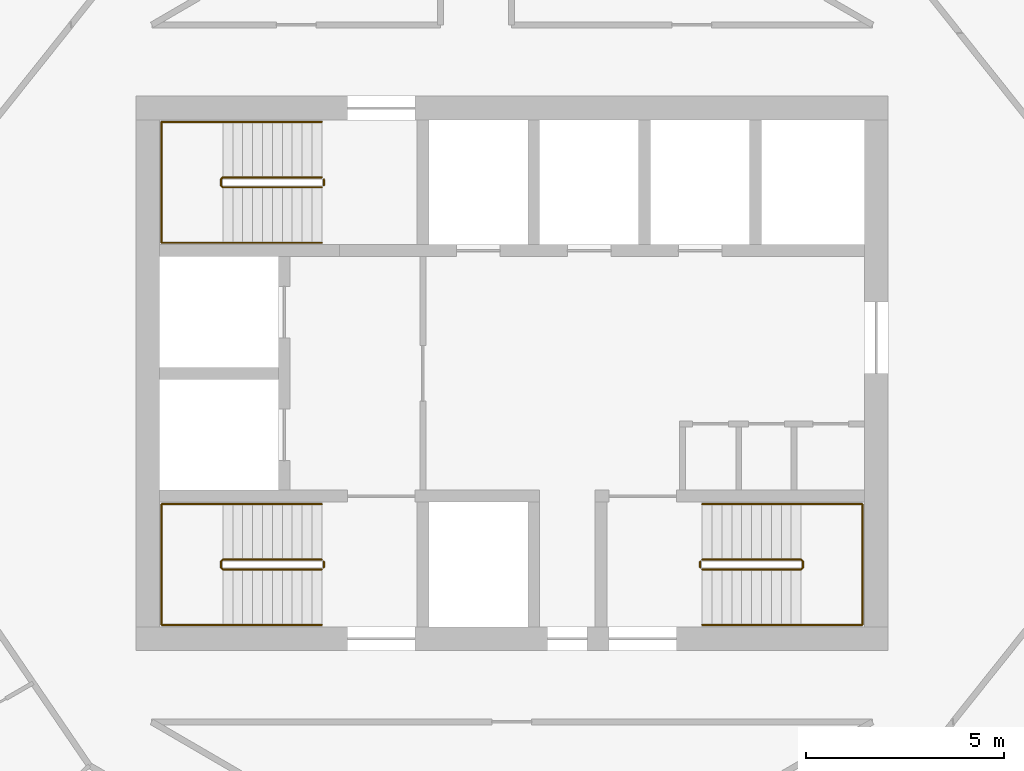
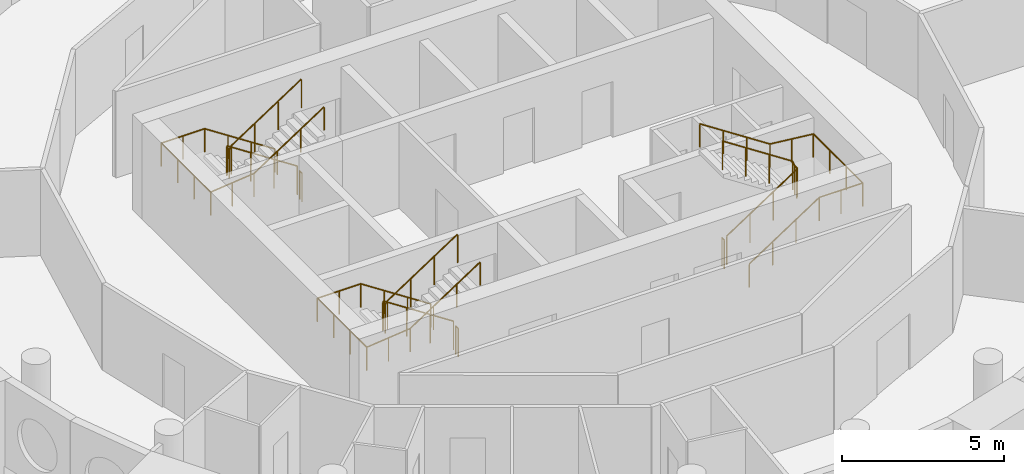
# One storey, part 12 of 12: 9 railings.
"""IFC4 building model written with IfcOpenShell, lengths in metres."""

import ifcopenshell
import ifcopenshell.guid

model = None  # the IFC model being written
_history = None  # IfcOwnerHistory: only IFC2X3 demands one
_inside = {}  # id of a spatial element -> (the spatial element, [elements in it])
_under = {}  # id of a project, library or spatial element -> (it, [spatial elements below it])
_declared = {}  # id of a project -> (the project, [libraries it declares])
_typed = {}  # id of a type object -> (the type object, [elements of that type])
_made_of = {}  # id of a material, layer set ... -> (it, [elements and type objects made of it])


def new_model(schema):
    """Start an empty IFC model of exactly this schema.

    Asked for "IFC4X3", IfcOpenShell would pick the latest addendum, in which some entities
    have other attributes; the version numbers below select the first issue.
    IFC2X3 requires an IfcOwnerHistory on every rooted entity: one is made here for all.
    """
    global model, _history
    if schema == "IFC4X3":
        model = ifcopenshell.file(schema_version=(4, 3, 0, 0))
    else:
        model = ifcopenshell.file(schema=schema)
    _inside.clear()
    _under.clear()
    _declared.clear()
    _typed.clear()
    _made_of.clear()
    _history = None
    if model.schema == "IFC2X3":
        org = make("IfcOrganization", Name="unknown")
        user = make(
            "IfcPersonAndOrganization",
            ThePerson=make("IfcPerson", FamilyName="unknown"),
            TheOrganization=org,
        )
        app = make(
            "IfcApplication",
            ApplicationDeveloper=org,
            Version="unknown",
            ApplicationFullName="unknown",
            ApplicationIdentifier="unknown",
        )
        _history = make(
            "IfcOwnerHistory",
            OwningUser=user,
            OwningApplication=app,
            ChangeAction="ADDED",
            CreationDate=0,
        )
    return model


def make(cls, **values):
    """One entity of the class cls with the attributes given. An attribute that is None is left unset."""
    return model.create_entity(
        cls, **{name: value for name, value in values.items() if value is not None}
    )


def rooted(cls, **values):
    """An entity with a GlobalId (a new one), such as an element, a storey or a relation."""
    return make(cls, GlobalId=ifcopenshell.guid.new(), OwnerHistory=_history, **values)


def si_unit(unit_type, name, prefix=None):
    """IfcSIUnit, for example si_unit("LENGTHUNIT", "METRE", prefix="MILLI")."""
    return make("IfcSIUnit", UnitType=unit_type, Prefix=prefix, Name=name)


def assignment(units):
    """IfcUnitAssignment: the units of a project."""
    return None if units is None else make("IfcUnitAssignment", Units=units)


def point(xyz):
    """IfcCartesianPoint."""
    return None if xyz is None else make("IfcCartesianPoint", Coordinates=xyz)


def direction(xyz):
    """IfcDirection."""
    return None if xyz is None else make("IfcDirection", DirectionRatios=xyz)


def frame(location, z_axis=None, x_axis=None):
    """IfcAxis2Placement3D, a coordinate frame: its origin and axes. An axis left out is left unset."""
    return make(
        "IfcAxis2Placement3D",
        Location=point(location),
        Axis=direction(z_axis),
        RefDirection=direction(x_axis),
    )


def frame_2d(location, x_axis=None):
    """IfcAxis2Placement2D, a coordinate frame in the plane: its origin and x axis."""
    return make(
        "IfcAxis2Placement2D", Location=point(location), RefDirection=direction(x_axis)
    )


def origin():
    """The frame at (0, 0, 0) with its axes left unset."""
    return frame((0.0, 0.0, 0.0))


def origin_2d():
    """The frame at (0, 0) in the plane with its x axis left unset."""
    return frame_2d((0.0, 0.0))


def place(relative_to, where):
    """IfcLocalPlacement: puts the frame where relative to a parent placement (None: the world)."""
    return make(
        "IfcLocalPlacement", PlacementRelTo=relative_to, RelativePlacement=where
    )


def context(
    kind, dimensions, precision=None, world=None, true_north=None, identifier=None
):
    """IfcGeometricRepresentationContext, for example the 3D "Model" context."""
    return make(
        "IfcGeometricRepresentationContext",
        ContextIdentifier=identifier,
        ContextType=kind,
        CoordinateSpaceDimension=dimensions,
        Precision=precision,
        WorldCoordinateSystem=world,
        TrueNorth=true_north,
    )


def subcontext(parent, identifier, kind, view, scale=None):
    """IfcGeometricRepresentationSubContext, for example "Body" below "Model"."""
    return make(
        "IfcGeometricRepresentationSubContext",
        ContextIdentifier=identifier,
        ContextType=kind,
        ParentContext=parent,
        TargetScale=scale,
        TargetView=view,
    )


def project(units=None, contexts=None):
    """IfcProject with its units and contexts."""
    return rooted(
        "IfcProject",
        Name="project",
        RepresentationContexts=contexts,
        UnitsInContext=assignment(units),
    )


def spatial(cls, under=None, at=None, **own):
    """A site, building, storey or space (cls), placed at a placement, below another one or the project."""
    s = rooted(cls, ObjectPlacement=at, **own)
    if under is not None:
        _under.setdefault(under.id(), (under, []))[1].append(s)
    return s


def profile(cls, at=None, kind="AREA", **sizes):
    """A parametric profile (cls). Its sizes go by their IFC names, for example OverallWidth=200.0."""
    return make(cls, ProfileType=kind, Position=at, **sizes)


def circle(**sizes):
    """IfcCircleProfileDef."""
    return profile("IfcCircleProfileDef", **sizes)


def extrude(swept, where, along, depth):
    """IfcExtrudedAreaSolid: the profile swept, set in the frame where, extruded along a direction by depth."""
    return make(
        "IfcExtrudedAreaSolid",
        SweptArea=swept,
        Position=where,
        ExtrudedDirection=direction(along),
        Depth=depth,
    )


def shape(context_of_items, identifier, shape_type, items):
    """IfcShapeRepresentation: the items that make up one representation, for example the "Body"."""
    return make(
        "IfcShapeRepresentation",
        ContextOfItems=context_of_items,
        RepresentationIdentifier=identifier,
        RepresentationType=shape_type,
        Items=items,
    )


def material(Name=None, Category=None):
    """IfcMaterial."""
    return make("IfcMaterial", Name=Name, Category=Category)


def made_of(thing, what):
    """Note that an element or type object is made of a material, layer set ...; save() writes the relation."""
    if what is not None:
        _made_of.setdefault(what.id(), (what, []))[1].append(thing)
    return thing


def type_object(cls, material=None, **own):
    """A type object (cls), such as IfcWallType, which elements share."""
    return made_of(rooted(cls, **own), material)


def element(
    cls,
    number,
    at=None,
    inside=None,
    cuts=None,
    type_object=None,
    material=None,
    context=None,
    identifier="Body",
    shape_type=None,
    held_by="IfcProductDefinitionShape",
    body=None,
    shapes=None,
    **own,
):
    """One element of the class cls, such as IfcWall. Its Tag is "e" and its number.

    at: its placement. inside: the storey or other place that contains it. cuts: it is an
    opening in that element (IfcRelVoidsElement). A single representation is given by context,
    identifier, shape_type and body (its items); several are given by shapes. held_by: the class
    of the entity that holds the representations. save() writes the other relations.
    """
    e = rooted(cls, Tag="e%d" % number, ObjectPlacement=at, **own)
    if body is not None:
        shapes = [shape(context, identifier, shape_type, body)]
    if shapes is not None:
        e.Representation = make(held_by, Representations=shapes)
    if inside is not None:
        _inside.setdefault(inside.id(), (inside, []))[1].append(e)
    if cuts is not None:
        rooted(
            "IfcRelVoidsElement", RelatingBuildingElement=cuts, RelatedOpeningElement=e
        )
    if type_object is not None:
        _typed.setdefault(type_object.id(), (type_object, []))[1].append(e)
    return made_of(e, material)


def aggregate(whole, parts):
    """IfcRelAggregates: a whole, such as a stair, and the parts it consists of."""
    return rooted("IfcRelAggregates", RelatingObject=whole, RelatedObjects=parts)


def save(model, path):
    """Write the relations noted so far, then the file.

    IfcRelAggregates (storeys below a building ...), IfcRelContainedInSpatialStructure (elements
    in a storey), IfcRelDefinesByType, IfcRelAssociatesMaterial and IfcRelDeclares: one each for
    every whole, place, type object, material and project.
    """
    for whole, parts in _under.values():
        aggregate(whole, parts)
    for where, things in _inside.values():
        rooted(
            "IfcRelContainedInSpatialStructure",
            RelatedElements=things,
            RelatingStructure=where,
        )
    for kind, things in _typed.values():
        rooted("IfcRelDefinesByType", RelatedObjects=things, RelatingType=kind)
    for what, things in _made_of.values():
        rooted("IfcRelAssociatesMaterial", RelatedObjects=things, RelatingMaterial=what)
    for by, libraries in _declared.values():
        rooted("IfcRelDeclares", RelatingContext=by, RelatedDefinitions=libraries)
    model.write(path)


model = new_model("IFC4")

# Units and contexts
model_context = context("Model", 3, precision=1e-05, world=origin(), true_north=direction((0.0, 1.0)))
body_context = subcontext(model_context, "Body", "Model", "MODEL_VIEW")
ifc_project = project(units=[si_unit("LENGTHUNIT", "METRE"), si_unit("AREAUNIT", "SQUARE_METRE"), si_unit("VOLUMEUNIT", "CUBIC_METRE"), si_unit("PLANEANGLEUNIT", "RADIAN"), si_unit("MASSUNIT", "GRAM", prefix="KILO")], contexts=[model_context])

# Site, building, storey
site_placement = place(None, origin())
site = spatial("IfcSite", under=ifc_project, at=site_placement, CompositionType="ELEMENT")
building_placement = place(site_placement, origin())
building = spatial("IfcBuilding", under=site, at=building_placement, Name="Tracery Tower", CompositionType="ELEMENT")
storey_placement = place(building_placement, frame((0.0, 0.0, 323.39990234375)))
storey = spatial("IfcBuildingStorey", under=building, at=storey_placement, Name="L84", CompositionType="ELEMENT", Elevation=323.39990234375)

# Railings
ifc_material_1 = material(Name="Stainless steel and laminated glass", Category="steel")
railing_type_1 = type_object("IfcRailingType", Name="Stair guard 1100", PredefinedType="GUARDRAIL", material=ifc_material_1)
railing_1_placement = place(storey_placement, frame((-4.800048828125, -4.699951171875, 0.163818359375)))
element("IfcRailing", 1, at=railing_1_placement, inside=storey, type_object=railing_type_1, Name="L84 stair ST1 guard 1", PredefinedType="GUARDRAIL", context=body_context, shape_type="SweptSolid", body=[
    extrude(circle(Radius=0.02392578125, at=origin_2d()), frame((0.0, 0.0, 1.076171875), z_axis=(-0.836721939367, 0.0, 0.547627972425), x_axis=(0.0, -1.0, 0.0)), (0.0, 0.0, 1.0), 2.98779296875),
    extrude(circle(Radius=0.02392578125, at=origin_2d()), frame((-2.5, 0.0, 2.71240234375), z_axis=(-0.707106781187, -0.707106781187, 0.0), x_axis=(0.707106781187, -0.707106781187, 0.0)), (0.0, 0.0, 1.0), 0.07080078125),
    extrude(circle(Radius=0.02392578125, at=origin_2d()), frame((-2.550048828125, -0.050048828125, 2.71240234375), z_axis=(0.0, -1.0, 0.0), x_axis=(1.0, 0.0, 0.0)), (0.0, 0.0, 1.0), 0.14990234375),
    extrude(circle(Radius=0.02392578125, at=origin_2d()), frame((-2.550048828125, -0.199951171875, 2.71240234375), z_axis=(0.280808744504, -0.280808744504, 0.917765164963), x_axis=(0.707106781187, 0.707106781187, 0.0)), (0.0, 0.0, 1.0), 0.17822265625),
    extrude(circle(Radius=0.02392578125, at=origin_2d()), frame((-2.5, -0.25, 2.8759765625), z_axis=(0.83668449804, 0.0, 0.54768517484), x_axis=(0.0, 1.0, 0.0)), (0.0, 0.0, 1.0), 2.988037109375),
    extrude(circle(Radius=0.02099609375, at=origin_2d()), origin(), (0.0, 0.0, 1.0), 1.052001953125),
    extrude(circle(Radius=0.02099609375, at=origin_2d()), frame((-0.833251953125, 0.0, 0.54541015625)), (0.0, 0.0, 1.0), 1.052001953125),
    extrude(circle(Radius=0.02099609375, at=origin_2d()), frame((-1.666748046875, 0.0, 1.0908203125)), (0.0, 0.0, 1.0), 1.052001953125),
    extrude(circle(Radius=0.02099609375, at=origin_2d()), frame((-2.5, 0.0, 1.63623046875)), (0.0, 0.0, 1.0), 1.052001953125),
    extrude(circle(Radius=0.02099609375, at=origin_2d()), frame((-2.550048828125, -0.050048828125, 1.63623046875)), (0.0, 0.0, 1.0), 1.052001953125),
    extrude(circle(Radius=0.02099609375, at=origin_2d()), frame((-2.550048828125, -0.199951171875, 1.63623046875)), (0.0, 0.0, 1.0), 1.052001953125),
    extrude(circle(Radius=0.02099609375, at=origin_2d()), frame((-2.5, -0.25, 1.7998046875)), (0.0, 0.0, 1.0), 1.052001953125),
    extrude(circle(Radius=0.02099609375, at=origin_2d()), frame((-1.666748046875, -0.25, 2.34521484375)), (0.0, 0.0, 1.0), 1.052001953125),
    extrude(circle(Radius=0.02099609375, at=origin_2d()), frame((-0.833251953125, -0.25, 2.890869140625)), (0.0, 0.0, 1.0), 1.052001953125),
    extrude(circle(Radius=0.02099609375, at=origin_2d()), frame((0.0, -0.25, 3.436279296875)), (0.0, 0.0, 1.0), 1.052001953125),
])
railing_2_placement = place(storey_placement, frame((-4.75, -4.75, 0.0)))
element("IfcRailing", 2, at=railing_2_placement, inside=storey, type_object=railing_type_1, Name="L84 stair ST1 guard 2", PredefinedType="GUARDRAIL", context=body_context, shape_type="SweptSolid", body=[
    extrude(circle(Radius=0.02392578125, at=origin_2d()), frame((0.0, 0.0, 1.076171875), z_axis=(0.0, -1.0, 0.0), x_axis=(1.0, 0.0, 0.0)), (0.0, 0.0, 1.0), 0.14990234375),
    extrude(circle(Radius=0.02099609375, at=origin_2d()), origin(), (0.0, 0.0, 1.0), 1.052001953125),
    extrude(circle(Radius=0.02099609375, at=origin_2d()), frame((0.0, -0.14990234375, 0.0)), (0.0, 0.0, 1.0), 1.052001953125),
])
railing_3_placement = place(storey_placement, frame((-4.800048828125, 4.949951171875, 0.163818359375)))
element("IfcRailing", 3, at=railing_3_placement, inside=storey, type_object=railing_type_1, Name="L84 stair ST3 guard 1", PredefinedType="GUARDRAIL", context=body_context, shape_type="SweptSolid", body=[
    extrude(circle(Radius=0.02392578125, at=origin_2d()), frame((0.0, 0.0, 1.076171875), z_axis=(-0.836721939367, 0.0, 0.547627972425), x_axis=(0.0, -1.0, 0.0)), (0.0, 0.0, 1.0), 2.98779296875),
    extrude(circle(Radius=0.02392578125, at=origin_2d()), frame((-2.5, 0.0, 2.71240234375), z_axis=(-0.707106781187, -0.707106781187, 0.0), x_axis=(0.707106781187, -0.707106781187, 0.0)), (0.0, 0.0, 1.0), 0.07080078125),
    extrude(circle(Radius=0.02392578125, at=origin_2d()), frame((-2.550048828125, -0.050048828125, 2.71240234375), z_axis=(0.0, -1.0, 0.0), x_axis=(1.0, 0.0, 0.0)), (0.0, 0.0, 1.0), 0.14990234375),
    extrude(circle(Radius=0.02392578125, at=origin_2d()), frame((-2.550048828125, -0.199951171875, 2.71240234375), z_axis=(0.280808744504, -0.280808744504, 0.917765164963), x_axis=(0.707106781187, 0.707106781187, 0.0)), (0.0, 0.0, 1.0), 0.17822265625),
    extrude(circle(Radius=0.02392578125, at=origin_2d()), frame((-2.5, -0.25, 2.8759765625), z_axis=(0.83668449804, 0.0, 0.54768517484), x_axis=(0.0, 1.0, 0.0)), (0.0, 0.0, 1.0), 2.988037109375),
    extrude(circle(Radius=0.02099609375, at=origin_2d()), origin(), (0.0, 0.0, 1.0), 1.052001953125),
    extrude(circle(Radius=0.02099609375, at=origin_2d()), frame((-0.833251953125, 0.0, 0.54541015625)), (0.0, 0.0, 1.0), 1.052001953125),
    extrude(circle(Radius=0.02099609375, at=origin_2d()), frame((-1.666748046875, 0.0, 1.0908203125)), (0.0, 0.0, 1.0), 1.052001953125),
    extrude(circle(Radius=0.02099609375, at=origin_2d()), frame((-2.5, 0.0, 1.63623046875)), (0.0, 0.0, 1.0), 1.052001953125),
    extrude(circle(Radius=0.02099609375, at=origin_2d()), frame((-2.550048828125, -0.050048828125, 1.63623046875)), (0.0, 0.0, 1.0), 1.052001953125),
    extrude(circle(Radius=0.02099609375, at=origin_2d()), frame((-2.550048828125, -0.199951171875, 1.63623046875)), (0.0, 0.0, 1.0), 1.052001953125),
    extrude(circle(Radius=0.02099609375, at=origin_2d()), frame((-2.5, -0.25, 1.7998046875)), (0.0, 0.0, 1.0), 1.052001953125),
    extrude(circle(Radius=0.02099609375, at=origin_2d()), frame((-1.666748046875, -0.25, 2.34521484375)), (0.0, 0.0, 1.0), 1.052001953125),
    extrude(circle(Radius=0.02099609375, at=origin_2d()), frame((-0.833251953125, -0.25, 2.890869140625)), (0.0, 0.0, 1.0), 1.052001953125),
    extrude(circle(Radius=0.02099609375, at=origin_2d()), frame((0.0, -0.25, 3.436279296875)), (0.0, 0.0, 1.0), 1.052001953125),
])
railing_4_placement = place(storey_placement, frame((-4.75, 4.89990234375, 0.0)))
element("IfcRailing", 4, at=railing_4_placement, inside=storey, type_object=railing_type_1, Name="L84 stair ST3 guard 2", PredefinedType="GUARDRAIL", context=body_context, shape_type="SweptSolid", body=[
    extrude(circle(Radius=0.02392578125, at=origin_2d()), frame((0.0, 0.0, 1.076171875), z_axis=(0.0, -1.0, 0.0), x_axis=(1.0, 0.0, 0.0)), (0.0, 0.0, 1.0), 0.14990234375),
    extrude(circle(Radius=0.02099609375, at=origin_2d()), origin(), (0.0, 0.0, 1.0), 1.052001953125),
    extrude(circle(Radius=0.02099609375, at=origin_2d()), frame((0.0, -0.14990234375, 0.0)), (0.0, 0.0, 1.0), 1.052001953125),
])
railing_5_placement = place(storey_placement, frame((4.800048828125, -4.949951171875, 0.163818359375)))
element("IfcRailing", 5, at=railing_5_placement, inside=storey, type_object=railing_type_1, Name="L84 stair ST2 guard 1", PredefinedType="GUARDRAIL", context=body_context, shape_type="SweptSolid", body=[
    extrude(circle(Radius=0.02392578125, at=origin_2d()), frame((0.0, 0.0, 1.076171875), z_axis=(0.836721939367, 0.0, 0.547627972425), x_axis=(0.0, 1.0, 0.0)), (0.0, 0.0, 1.0), 2.98779296875),
    extrude(circle(Radius=0.02392578125, at=origin_2d()), frame((2.5, 0.0, 2.71240234375), z_axis=(0.707106781187, 0.707106781187, 0.0), x_axis=(-0.707106781187, 0.707106781187, 0.0)), (0.0, 0.0, 1.0), 0.07080078125),
    extrude(circle(Radius=0.02392578125, at=origin_2d()), frame((2.550048828125, 0.050048828125, 2.71240234375), z_axis=(0.0, 1.0, 0.0), x_axis=(-1.0, 0.0, 0.0)), (0.0, 0.0, 1.0), 0.14990234375),
    extrude(circle(Radius=0.02392578125, at=origin_2d()), frame((2.550048828125, 0.199951171875, 2.71240234375), z_axis=(-0.280808744504, 0.280808744504, 0.917765164963), x_axis=(-0.707106781187, -0.707106781187, 0.0)), (0.0, 0.0, 1.0), 0.17822265625),
    extrude(circle(Radius=0.02392578125, at=origin_2d()), frame((2.5, 0.25, 2.8759765625), z_axis=(-0.83668449804, 0.0, 0.54768517484), x_axis=(0.0, -1.0, 0.0)), (0.0, 0.0, 1.0), 2.988037109375),
    extrude(circle(Radius=0.02099609375, at=origin_2d()), origin(), (0.0, 0.0, 1.0), 1.052001953125),
    extrude(circle(Radius=0.02099609375, at=origin_2d()), frame((0.833251953125, 0.0, 0.54541015625)), (0.0, 0.0, 1.0), 1.052001953125),
    extrude(circle(Radius=0.02099609375, at=origin_2d()), frame((1.666748046875, 0.0, 1.0908203125)), (0.0, 0.0, 1.0), 1.052001953125),
    extrude(circle(Radius=0.02099609375, at=origin_2d()), frame((2.5, 0.0, 1.63623046875)), (0.0, 0.0, 1.0), 1.052001953125),
    extrude(circle(Radius=0.02099609375, at=origin_2d()), frame((2.550048828125, 0.050048828125, 1.63623046875)), (0.0, 0.0, 1.0), 1.052001953125),
    extrude(circle(Radius=0.02099609375, at=origin_2d()), frame((2.550048828125, 0.199951171875, 1.63623046875)), (0.0, 0.0, 1.0), 1.052001953125),
    extrude(circle(Radius=0.02099609375, at=origin_2d()), frame((2.5, 0.25, 1.7998046875)), (0.0, 0.0, 1.0), 1.052001953125),
    extrude(circle(Radius=0.02099609375, at=origin_2d()), frame((1.666748046875, 0.25, 2.34521484375)), (0.0, 0.0, 1.0), 1.052001953125),
    extrude(circle(Radius=0.02099609375, at=origin_2d()), frame((0.833251953125, 0.25, 2.890869140625)), (0.0, 0.0, 1.0), 1.052001953125),
    extrude(circle(Radius=0.02099609375, at=origin_2d()), frame((0.0, 0.25, 3.436279296875)), (0.0, 0.0, 1.0), 1.052001953125),
])
railing_6_placement = place(storey_placement, frame((4.75, -4.89990234375, 0.0)))
element("IfcRailing", 6, at=railing_6_placement, inside=storey, type_object=railing_type_1, Name="L84 stair ST2 guard 2", PredefinedType="GUARDRAIL", context=body_context, shape_type="SweptSolid", body=[
    extrude(circle(Radius=0.02392578125, at=origin_2d()), frame((0.0, 0.0, 1.076171875), z_axis=(0.0, 1.0, 0.0), x_axis=(-1.0, 0.0, 0.0)), (0.0, 0.0, 1.0), 0.14990234375),
    extrude(circle(Radius=0.02099609375, at=origin_2d()), origin(), (0.0, 0.0, 1.0), 1.052001953125),
    extrude(circle(Radius=0.02099609375, at=origin_2d()), frame((0.0, 0.14990234375, 0.0)), (0.0, 0.0, 1.0), 1.052001953125),
])
ifc_material_2 = material(Name="Stainless steel and laminated glass", Category="steel")
railing_type_2 = type_object("IfcRailingType", Name="Stair handrail 900", PredefinedType="HANDRAIL", material=ifc_material_2)
railing_7_placement = place(storey_placement, frame((-4.800048828125, -3.300048828125, 0.163818359375)))
element("IfcRailing", 7, at=railing_7_placement, inside=storey, type_object=railing_type_2, Name="L84 stair ST1 handrail 1", PredefinedType="HANDRAIL", context=body_context, shape_type="SweptSolid", body=[
    extrude(circle(Radius=0.02392578125, at=origin_2d()), frame((0.0, 0.0, 0.8759765625), z_axis=(-0.836721939367, 0.0, 0.547627972425), x_axis=(0.0, -1.0, 0.0)), (0.0, 0.0, 1.0), 2.98779296875),
    extrude(circle(Radius=0.02392578125, at=origin_2d()), frame((-2.5, 0.0, 2.51220703125), z_axis=(-1.0, 0.0, 0.0), x_axis=(0.0, -1.0, 0.0)), (0.0, 0.0, 1.0), 1.550048828125),
    extrude(circle(Radius=0.02392578125, at=origin_2d()), frame((-4.050048828125, 0.0, 2.51220703125), z_axis=(0.0, -1.0, 0.0), x_axis=(1.0, 0.0, 0.0)), (0.0, 0.0, 1.0), 3.050048828125),
    extrude(circle(Radius=0.02392578125, at=origin_2d()), frame((-4.050048828125, -3.050048828125, 2.51220703125), z_axis=(0.994477953863, 0.0, 0.104945696817), x_axis=(0.0, 1.0, 0.0)), (0.0, 0.0, 1.0), 1.55859375),
    extrude(circle(Radius=0.02392578125, at=origin_2d()), frame((-2.5, -3.050048828125, 2.67578125), z_axis=(0.83668449804, 0.0, 0.54768517484), x_axis=(0.0, 1.0, 0.0)), (0.0, 0.0, 1.0), 2.988037109375),
    extrude(circle(Radius=0.02099609375, at=origin_2d()), origin(), (0.0, 0.0, 1.0), 0.851806640625),
    extrude(circle(Radius=0.02099609375, at=origin_2d()), frame((-0.833251953125, 0.0, 0.54541015625)), (0.0, 0.0, 1.0), 0.851806640625),
    extrude(circle(Radius=0.02099609375, at=origin_2d()), frame((-1.666748046875, 0.0, 1.0908203125)), (0.0, 0.0, 1.0), 0.851806640625),
    extrude(circle(Radius=0.02099609375, at=origin_2d()), frame((-2.5, 0.0, 1.63623046875)), (0.0, 0.0, 1.0), 0.851806640625),
    extrude(circle(Radius=0.02099609375, at=origin_2d()), frame((-3.27490234375, 0.0, 1.63623046875)), (0.0, 0.0, 1.0), 0.851806640625),
    extrude(circle(Radius=0.02099609375, at=origin_2d()), frame((-4.050048828125, 0.0, 1.63623046875)), (0.0, 0.0, 1.0), 0.851806640625),
    extrude(circle(Radius=0.02099609375, at=origin_2d()), frame((-4.050048828125, -1.0166015625, 1.63623046875)), (0.0, 0.0, 1.0), 0.851806640625),
    extrude(circle(Radius=0.02099609375, at=origin_2d()), frame((-4.050048828125, -2.033447265625, 1.63623046875)), (0.0, 0.0, 1.0), 0.851806640625),
    extrude(circle(Radius=0.02099609375, at=origin_2d()), frame((-4.050048828125, -3.050048828125, 1.63623046875)), (0.0, 0.0, 1.0), 0.851806640625),
    extrude(circle(Radius=0.02099609375, at=origin_2d()), frame((-3.27490234375, -3.050048828125, 1.718017578125)), (0.0, 0.0, 1.0), 0.851806640625),
    extrude(circle(Radius=0.02099609375, at=origin_2d()), frame((-2.5, -3.050048828125, 1.7998046875)), (0.0, 0.0, 1.0), 0.851806640625),
    extrude(circle(Radius=0.02099609375, at=origin_2d()), frame((-1.666748046875, -3.050048828125, 2.34521484375)), (0.0, 0.0, 1.0), 0.851806640625),
    extrude(circle(Radius=0.02099609375, at=origin_2d()), frame((-0.833251953125, -3.050048828125, 2.890869140625)), (0.0, 0.0, 1.0), 0.851806640625),
    extrude(circle(Radius=0.02099609375, at=origin_2d()), frame((0.0, -3.050048828125, 3.436279296875)), (0.0, 0.0, 1.0), 0.851806640625),
])
railing_8_placement = place(storey_placement, frame((-4.800048828125, 6.35009765625, 0.163818359375)))
element("IfcRailing", 8, at=railing_8_placement, inside=storey, type_object=railing_type_2, Name="L84 stair ST3 handrail 1", PredefinedType="HANDRAIL", context=body_context, shape_type="SweptSolid", body=[
    extrude(circle(Radius=0.02392578125, at=origin_2d()), frame((0.0, 0.0, 0.8759765625), z_axis=(-0.836721939367, 0.0, 0.547627972425), x_axis=(0.0, -1.0, 0.0)), (0.0, 0.0, 1.0), 2.98779296875),
    extrude(circle(Radius=0.02392578125, at=origin_2d()), frame((-2.5, 0.0, 2.51220703125), z_axis=(-1.0, 0.0, 0.0), x_axis=(0.0, -1.0, 0.0)), (0.0, 0.0, 1.0), 1.550048828125),
    extrude(circle(Radius=0.02392578125, at=origin_2d()), frame((-4.050048828125, 0.0, 2.51220703125), z_axis=(0.0, -1.0, 0.0), x_axis=(1.0, 0.0, 0.0)), (0.0, 0.0, 1.0), 3.050048828125),
    extrude(circle(Radius=0.02392578125, at=origin_2d()), frame((-4.050048828125, -3.050048828125, 2.51220703125), z_axis=(0.994477953863, 0.0, 0.104945696817), x_axis=(0.0, 1.0, 0.0)), (0.0, 0.0, 1.0), 1.55859375),
    extrude(circle(Radius=0.02392578125, at=origin_2d()), frame((-2.5, -3.050048828125, 2.67578125), z_axis=(0.83668449804, 0.0, 0.54768517484), x_axis=(0.0, 1.0, 0.0)), (0.0, 0.0, 1.0), 2.988037109375),
    extrude(circle(Radius=0.02099609375, at=origin_2d()), origin(), (0.0, 0.0, 1.0), 0.851806640625),
    extrude(circle(Radius=0.02099609375, at=origin_2d()), frame((-0.833251953125, 0.0, 0.54541015625)), (0.0, 0.0, 1.0), 0.851806640625),
    extrude(circle(Radius=0.02099609375, at=origin_2d()), frame((-1.666748046875, 0.0, 1.0908203125)), (0.0, 0.0, 1.0), 0.851806640625),
    extrude(circle(Radius=0.02099609375, at=origin_2d()), frame((-2.5, 0.0, 1.63623046875)), (0.0, 0.0, 1.0), 0.851806640625),
    extrude(circle(Radius=0.02099609375, at=origin_2d()), frame((-3.27490234375, 0.0, 1.63623046875)), (0.0, 0.0, 1.0), 0.851806640625),
    extrude(circle(Radius=0.02099609375, at=origin_2d()), frame((-4.050048828125, 0.0, 1.63623046875)), (0.0, 0.0, 1.0), 0.851806640625),
    extrude(circle(Radius=0.02099609375, at=origin_2d()), frame((-4.050048828125, -1.0166015625, 1.63623046875)), (0.0, 0.0, 1.0), 0.851806640625),
    extrude(circle(Radius=0.02099609375, at=origin_2d()), frame((-4.050048828125, -2.033447265625, 1.63623046875)), (0.0, 0.0, 1.0), 0.851806640625),
    extrude(circle(Radius=0.02099609375, at=origin_2d()), frame((-4.050048828125, -3.050048828125, 1.63623046875)), (0.0, 0.0, 1.0), 0.851806640625),
    extrude(circle(Radius=0.02099609375, at=origin_2d()), frame((-3.27490234375, -3.050048828125, 1.718017578125)), (0.0, 0.0, 1.0), 0.851806640625),
    extrude(circle(Radius=0.02099609375, at=origin_2d()), frame((-2.5, -3.050048828125, 1.7998046875)), (0.0, 0.0, 1.0), 0.851806640625),
    extrude(circle(Radius=0.02099609375, at=origin_2d()), frame((-1.666748046875, -3.050048828125, 2.34521484375)), (0.0, 0.0, 1.0), 0.851806640625),
    extrude(circle(Radius=0.02099609375, at=origin_2d()), frame((-0.833251953125, -3.050048828125, 2.890869140625)), (0.0, 0.0, 1.0), 0.851806640625),
    extrude(circle(Radius=0.02099609375, at=origin_2d()), frame((0.0, -3.050048828125, 3.436279296875)), (0.0, 0.0, 1.0), 0.851806640625),
])
railing_9_placement = place(storey_placement, frame((4.800048828125, -6.35009765625, 0.163818359375)))
element("IfcRailing", 9, at=railing_9_placement, inside=storey, type_object=railing_type_2, Name="L84 stair ST2 handrail 1", PredefinedType="HANDRAIL", context=body_context, shape_type="SweptSolid", body=[
    extrude(circle(Radius=0.02392578125, at=origin_2d()), frame((0.0, 0.0, 0.8759765625), z_axis=(0.836721939367, 0.0, 0.547627972425), x_axis=(0.0, 1.0, 0.0)), (0.0, 0.0, 1.0), 2.98779296875),
    extrude(circle(Radius=0.02392578125, at=origin_2d()), frame((2.5, 0.0, 2.51220703125), z_axis=(1.0, 0.0, 0.0), x_axis=(0.0, 1.0, 0.0)), (0.0, 0.0, 1.0), 1.550048828125),
    extrude(circle(Radius=0.02392578125, at=origin_2d()), frame((4.050048828125, 0.0, 2.51220703125), z_axis=(0.0, 1.0, 0.0), x_axis=(-1.0, 0.0, 0.0)), (0.0, 0.0, 1.0), 3.050048828125),
    extrude(circle(Radius=0.02392578125, at=origin_2d()), frame((4.050048828125, 3.050048828125, 2.51220703125), z_axis=(-0.994477953863, 0.0, 0.104945696817), x_axis=(0.0, -1.0, 0.0)), (0.0, 0.0, 1.0), 1.55859375),
    extrude(circle(Radius=0.02392578125, at=origin_2d()), frame((2.5, 3.050048828125, 2.67578125), z_axis=(-0.83668449804, 0.0, 0.54768517484), x_axis=(0.0, -1.0, 0.0)), (0.0, 0.0, 1.0), 2.988037109375),
    extrude(circle(Radius=0.02099609375, at=origin_2d()), origin(), (0.0, 0.0, 1.0), 0.851806640625),
    extrude(circle(Radius=0.02099609375, at=origin_2d()), frame((0.833251953125, 0.0, 0.54541015625)), (0.0, 0.0, 1.0), 0.851806640625),
    extrude(circle(Radius=0.02099609375, at=origin_2d()), frame((1.666748046875, 0.0, 1.0908203125)), (0.0, 0.0, 1.0), 0.851806640625),
    extrude(circle(Radius=0.02099609375, at=origin_2d()), frame((2.5, 0.0, 1.63623046875)), (0.0, 0.0, 1.0), 0.851806640625),
    extrude(circle(Radius=0.02099609375, at=origin_2d()), frame((3.27490234375, 0.0, 1.63623046875)), (0.0, 0.0, 1.0), 0.851806640625),
    extrude(circle(Radius=0.02099609375, at=origin_2d()), frame((4.050048828125, 0.0, 1.63623046875)), (0.0, 0.0, 1.0), 0.851806640625),
    extrude(circle(Radius=0.02099609375, at=origin_2d()), frame((4.050048828125, 1.0166015625, 1.63623046875)), (0.0, 0.0, 1.0), 0.851806640625),
    extrude(circle(Radius=0.02099609375, at=origin_2d()), frame((4.050048828125, 2.033447265625, 1.63623046875)), (0.0, 0.0, 1.0), 0.851806640625),
    extrude(circle(Radius=0.02099609375, at=origin_2d()), frame((4.050048828125, 3.050048828125, 1.63623046875)), (0.0, 0.0, 1.0), 0.851806640625),
    extrude(circle(Radius=0.02099609375, at=origin_2d()), frame((3.27490234375, 3.050048828125, 1.718017578125)), (0.0, 0.0, 1.0), 0.851806640625),
    extrude(circle(Radius=0.02099609375, at=origin_2d()), frame((2.5, 3.050048828125, 1.7998046875)), (0.0, 0.0, 1.0), 0.851806640625),
    extrude(circle(Radius=0.02099609375, at=origin_2d()), frame((1.666748046875, 3.050048828125, 2.34521484375)), (0.0, 0.0, 1.0), 0.851806640625),
    extrude(circle(Radius=0.02099609375, at=origin_2d()), frame((0.833251953125, 3.050048828125, 2.890869140625)), (0.0, 0.0, 1.0), 0.851806640625),
    extrude(circle(Radius=0.02099609375, at=origin_2d()), frame((0.0, 3.050048828125, 3.436279296875)), (0.0, 0.0, 1.0), 0.851806640625),
])

save(model, "model.ifc")
